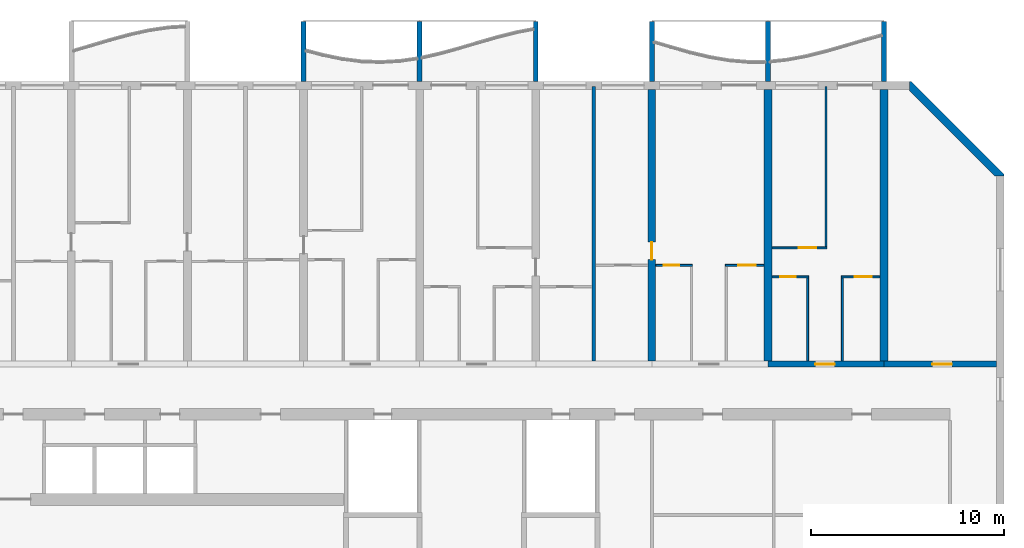
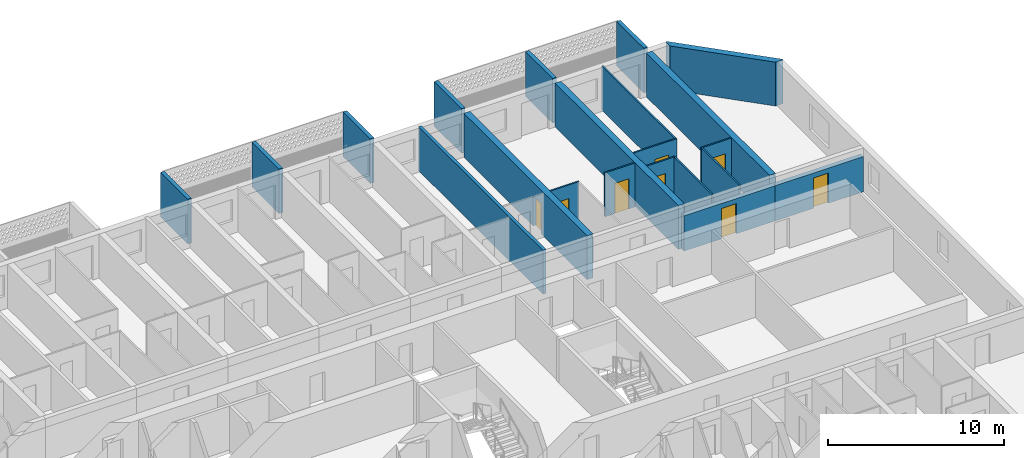
# One storey, part 17 of 38: 21 walls, 8 doors, 8 openings.
"""IFC4 building model written with IfcOpenShell, lengths in metres."""

import ifcopenshell
import ifcopenshell.guid

model = None  # the IFC model being written
_history = None  # IfcOwnerHistory: only IFC2X3 demands one
_inside = {}  # id of a spatial element -> (the spatial element, [elements in it])
_under = {}  # id of a project, library or spatial element -> (it, [spatial elements below it])
_declared = {}  # id of a project -> (the project, [libraries it declares])
_typed = {}  # id of a type object -> (the type object, [elements of that type])
_made_of = {}  # id of a material, layer set ... -> (it, [elements and type objects made of it])


def new_model(schema):
    """Start an empty IFC model of exactly this schema.

    Asked for "IFC4X3", IfcOpenShell would pick the latest addendum, in which some entities
    have other attributes; the version numbers below select the first issue.
    IFC2X3 requires an IfcOwnerHistory on every rooted entity: one is made here for all.
    """
    global model, _history
    if schema == "IFC4X3":
        model = ifcopenshell.file(schema_version=(4, 3, 0, 0))
    else:
        model = ifcopenshell.file(schema=schema)
    _inside.clear()
    _under.clear()
    _declared.clear()
    _typed.clear()
    _made_of.clear()
    _history = None
    if model.schema == "IFC2X3":
        org = make("IfcOrganization", Name="unknown")
        user = make(
            "IfcPersonAndOrganization",
            ThePerson=make("IfcPerson", FamilyName="unknown"),
            TheOrganization=org,
        )
        app = make(
            "IfcApplication",
            ApplicationDeveloper=org,
            Version="unknown",
            ApplicationFullName="unknown",
            ApplicationIdentifier="unknown",
        )
        _history = make(
            "IfcOwnerHistory",
            OwningUser=user,
            OwningApplication=app,
            ChangeAction="ADDED",
            CreationDate=0,
        )
    return model


def make(cls, **values):
    """One entity of the class cls with the attributes given. An attribute that is None is left unset."""
    return model.create_entity(
        cls, **{name: value for name, value in values.items() if value is not None}
    )


def rooted(cls, **values):
    """An entity with a GlobalId (a new one), such as an element, a storey or a relation."""
    return make(cls, GlobalId=ifcopenshell.guid.new(), OwnerHistory=_history, **values)


def si_unit(unit_type, name, prefix=None):
    """IfcSIUnit, for example si_unit("LENGTHUNIT", "METRE", prefix="MILLI")."""
    return make("IfcSIUnit", UnitType=unit_type, Prefix=prefix, Name=name)


def assignment(units):
    """IfcUnitAssignment: the units of a project."""
    return None if units is None else make("IfcUnitAssignment", Units=units)


def point(xyz):
    """IfcCartesianPoint."""
    return None if xyz is None else make("IfcCartesianPoint", Coordinates=xyz)


def direction(xyz):
    """IfcDirection."""
    return None if xyz is None else make("IfcDirection", DirectionRatios=xyz)


def frame(location, z_axis=None, x_axis=None):
    """IfcAxis2Placement3D, a coordinate frame: its origin and axes. An axis left out is left unset."""
    return make(
        "IfcAxis2Placement3D",
        Location=point(location),
        Axis=direction(z_axis),
        RefDirection=direction(x_axis),
    )


def frame_2d(location, x_axis=None):
    """IfcAxis2Placement2D, a coordinate frame in the plane: its origin and x axis."""
    return make(
        "IfcAxis2Placement2D", Location=point(location), RefDirection=direction(x_axis)
    )


def origin():
    """The frame at (0, 0, 0) with its axes left unset."""
    return frame((0.0, 0.0, 0.0))


def place(relative_to, where):
    """IfcLocalPlacement: puts the frame where relative to a parent placement (None: the world)."""
    return make(
        "IfcLocalPlacement", PlacementRelTo=relative_to, RelativePlacement=where
    )


def context(
    kind, dimensions, precision=None, world=None, true_north=None, identifier=None
):
    """IfcGeometricRepresentationContext, for example the 3D "Model" context."""
    return make(
        "IfcGeometricRepresentationContext",
        ContextIdentifier=identifier,
        ContextType=kind,
        CoordinateSpaceDimension=dimensions,
        Precision=precision,
        WorldCoordinateSystem=world,
        TrueNorth=true_north,
    )


def subcontext(parent, identifier, kind, view, scale=None):
    """IfcGeometricRepresentationSubContext, for example "Body" below "Model"."""
    return make(
        "IfcGeometricRepresentationSubContext",
        ContextIdentifier=identifier,
        ContextType=kind,
        ParentContext=parent,
        TargetScale=scale,
        TargetView=view,
    )


def project(units=None, contexts=None):
    """IfcProject with its units and contexts."""
    return rooted(
        "IfcProject",
        Name="project",
        RepresentationContexts=contexts,
        UnitsInContext=assignment(units),
    )


def spatial(cls, under=None, at=None, **own):
    """A site, building, storey or space (cls), placed at a placement, below another one or the project."""
    s = rooted(cls, ObjectPlacement=at, **own)
    if under is not None:
        _under.setdefault(under.id(), (under, []))[1].append(s)
    return s


def polyline(points):
    """IfcPolyline through the points."""
    return make("IfcPolyline", Points=[point(p) for p in points])


def profile(cls, at=None, kind="AREA", **sizes):
    """A parametric profile (cls). Its sizes go by their IFC names, for example OverallWidth=200.0."""
    return make(cls, ProfileType=kind, Position=at, **sizes)


def rectangle(**sizes):
    """IfcRectangleProfileDef."""
    return profile("IfcRectangleProfileDef", **sizes)


def outline(outer, holes=None, kind="AREA"):
    """IfcArbitraryClosedProfileDef: a profile drawn as a closed curve; with holes, ...WithVoids."""
    if holes is None:
        return make("IfcArbitraryClosedProfileDef", ProfileType=kind, OuterCurve=outer)
    return make(
        "IfcArbitraryProfileDefWithVoids",
        ProfileType=kind,
        OuterCurve=outer,
        InnerCurves=holes,
    )


def extrude(swept, where, along, depth):
    """IfcExtrudedAreaSolid: the profile swept, set in the frame where, extruded along a direction by depth."""
    return make(
        "IfcExtrudedAreaSolid",
        SweptArea=swept,
        Position=where,
        ExtrudedDirection=direction(along),
        Depth=depth,
    )


def shape(context_of_items, identifier, shape_type, items):
    """IfcShapeRepresentation: the items that make up one representation, for example the "Body"."""
    return make(
        "IfcShapeRepresentation",
        ContextOfItems=context_of_items,
        RepresentationIdentifier=identifier,
        RepresentationType=shape_type,
        Items=items,
    )


def source(mapping_origin, context_of_items, identifier, shape_type, items):
    """IfcRepresentationMap: a shape defined once, which mapped items show again and again."""
    return make(
        "IfcRepresentationMap",
        MappingOrigin=mapping_origin,
        MappedRepresentation=shape(context_of_items, identifier, shape_type, items),
    )


def transform(
    local_origin,
    x_axis=None,
    y_axis=None,
    z_axis=None,
    scale=None,
    scale2=None,
    scale3=None,
    uniform=True,
):
    """IfcCartesianTransformationOperator3D, or its non-uniform kind. x_axis, y_axis, z_axis: its Axis1, 2, 3."""
    if uniform:
        return make(
            "IfcCartesianTransformationOperator3D",
            Axis1=direction(x_axis),
            Axis2=direction(y_axis),
            LocalOrigin=point(local_origin),
            Scale=scale,
            Axis3=direction(z_axis),
        )
    return make(
        "IfcCartesianTransformationOperator3DnonUniform",
        Axis1=direction(x_axis),
        Axis2=direction(y_axis),
        LocalOrigin=point(local_origin),
        Scale=scale,
        Axis3=direction(z_axis),
        Scale2=scale2,
        Scale3=scale3,
    )


def mapped(mapping_source, mapping_target):
    """IfcMappedItem: shows the shape of a source again, moved by a transform."""
    return make(
        "IfcMappedItem", MappingSource=mapping_source, MappingTarget=mapping_target
    )


def material(Name=None, Category=None):
    """IfcMaterial."""
    return make("IfcMaterial", Name=Name, Category=Category)


def layer(
    of_material, thickness, ventilated=None, Name=None, Category=None, Priority=None
):
    """IfcMaterialLayer: one layer of a wall or slab, of a material (None: an air gap)."""
    return make(
        "IfcMaterialLayer",
        Material=of_material,
        LayerThickness=thickness,
        IsVentilated=ventilated,
        Name=Name,
        Category=Category,
        Priority=Priority,
    )


def layer_set(layers, Name=None):
    """IfcMaterialLayerSet."""
    return make("IfcMaterialLayerSet", MaterialLayers=layers, LayerSetName=Name)


def made_of(thing, what):
    """Note that an element or type object is made of a material, layer set ...; save() writes the relation."""
    if what is not None:
        _made_of.setdefault(what.id(), (what, []))[1].append(thing)
    return thing


def type_object(cls, material=None, **own):
    """A type object (cls), such as IfcWallType, which elements share."""
    return made_of(rooted(cls, **own), material)


def element(
    cls,
    number,
    at=None,
    inside=None,
    cuts=None,
    type_object=None,
    material=None,
    context=None,
    identifier="Body",
    shape_type=None,
    held_by="IfcProductDefinitionShape",
    body=None,
    shapes=None,
    **own,
):
    """One element of the class cls, such as IfcWall. Its Tag is "e" and its number.

    at: its placement. inside: the storey or other place that contains it. cuts: it is an
    opening in that element (IfcRelVoidsElement). A single representation is given by context,
    identifier, shape_type and body (its items); several are given by shapes. held_by: the class
    of the entity that holds the representations. save() writes the other relations.
    """
    e = rooted(cls, Tag="e%d" % number, ObjectPlacement=at, **own)
    if body is not None:
        shapes = [shape(context, identifier, shape_type, body)]
    if shapes is not None:
        e.Representation = make(held_by, Representations=shapes)
    if inside is not None:
        _inside.setdefault(inside.id(), (inside, []))[1].append(e)
    if cuts is not None:
        rooted(
            "IfcRelVoidsElement", RelatingBuildingElement=cuts, RelatedOpeningElement=e
        )
    if type_object is not None:
        _typed.setdefault(type_object.id(), (type_object, []))[1].append(e)
    return made_of(e, material)


def fill(opening, filler):
    """IfcRelFillsElement: the door or window that sits in an opening."""
    return rooted(
        "IfcRelFillsElement",
        RelatingOpeningElement=opening,
        RelatedBuildingElement=filler,
    )


def aggregate(whole, parts):
    """IfcRelAggregates: a whole, such as a stair, and the parts it consists of."""
    return rooted("IfcRelAggregates", RelatingObject=whole, RelatedObjects=parts)


def save(model, path):
    """Write the relations noted so far, then the file.

    IfcRelAggregates (storeys below a building ...), IfcRelContainedInSpatialStructure (elements
    in a storey), IfcRelDefinesByType, IfcRelAssociatesMaterial and IfcRelDeclares: one each for
    every whole, place, type object, material and project.
    """
    for whole, parts in _under.values():
        aggregate(whole, parts)
    for where, things in _inside.values():
        rooted(
            "IfcRelContainedInSpatialStructure",
            RelatedElements=things,
            RelatingStructure=where,
        )
    for kind, things in _typed.values():
        rooted("IfcRelDefinesByType", RelatedObjects=things, RelatingType=kind)
    for what, things in _made_of.values():
        rooted("IfcRelAssociatesMaterial", RelatedObjects=things, RelatingMaterial=what)
    for by, libraries in _declared.values():
        rooted("IfcRelDeclares", RelatingContext=by, RelatedDefinitions=libraries)
    model.write(path)


model = new_model("IFC4")

# Units and contexts
model_context = context("Model", 3, precision=1e-05, world=origin(), true_north=direction((0.0, 1.0)))
body_context = subcontext(model_context, "Body", "Model", "MODEL_VIEW")
ifc_project = project(units=[si_unit("LENGTHUNIT", "METRE"), si_unit("AREAUNIT", "SQUARE_METRE"), si_unit("VOLUMEUNIT", "CUBIC_METRE"), si_unit("PLANEANGLEUNIT", "RADIAN"), si_unit("MASSUNIT", "GRAM", prefix="KILO")], contexts=[model_context])

# Site, building, storey
site_placement = place(None, origin())
site = spatial("IfcSite", under=ifc_project, at=site_placement, CompositionType="ELEMENT")
building_placement = place(site_placement, origin())
building = spatial("IfcBuilding", under=site, at=building_placement, Name="Poui Terraces", CompositionType="ELEMENT")
storey_placement = place(building_placement, frame((0.0, 0.0, 43.199951171875)))
storey = spatial("IfcBuildingStorey", under=building, at=storey_placement, Name="L11", CompositionType="ELEMENT", Elevation=43.199951171875)

# Wall, opening, door
ifc_material_1 = material(Name="Concrete 80 MPa", Category="concrete")
ifc_layer_1 = layer(ifc_material_1, 0.300048828125)
ifc_layer_set_1 = layer_set([ifc_layer_1], Name="Concrete 80 MPa")
wall_type_1 = type_object("IfcWallType", Name="CORRIDOR WALL 300 80MPa", PredefinedType="SHEAR", material=ifc_layer_set_1)
wall_1_placement = place(storey_placement, frame((90.0, 30.39990234375, 0.0), z_axis=(0.0, 0.0, 1.0), x_axis=(1.0, 0.0, 0.0)))
wall_1 = element("IfcWall", 1, at=wall_1_placement, inside=storey, type_object=wall_type_1, Name="CORRIDOR WALL LINE E BAY 16", PredefinedType="SHEAR", context=body_context, shape_type="SweptSolid", body=[
    extrude(rectangle(XDim=6.0, YDim=0.300048828125, at=frame_2d((3.0, 0.0))), origin(), (0.0, 0.0, 1.0), 2.449951171875),
])
opening_1_placement = place(wall_1_placement, frame((2.449951171875, 0.0, 0.0)))
opening_1 = element("IfcOpeningElement", 2, at=opening_1_placement, cuts=wall_1, Name="Opening FD30S", PredefinedType="OPENING", context=body_context, shape_type="SweptSolid", body=[
    extrude(rectangle(XDim=1.0, YDim=2.10009765625, at=frame_2d((0.5, 1.050048828125))), frame((0.0, 0.16015625, 0.0), z_axis=(0.0, -1.0, 0.0), x_axis=(1.0, 0.0, 0.0)), (0.0, 0.0, 1.0), 0.320068359375),
])
ifc_material_2 = material(Name="Steel fire door", Category="steel")
door_type_1 = type_object("IfcDoorType", Name="FLAT ENTRANCE DOOR 1000 X 2100", OperationType="NOTDEFINED", PredefinedType="DOOR", material=ifc_material_2)
door_1_placement = place(opening_1_placement, origin())
door_1 = element("IfcDoor", 3, at=door_1_placement, inside=storey, type_object=door_type_1, Name="FLAT ENTRANCE DOOR 088", OperationType="SINGLE_SWING_LEFT", OverallHeight=2.10009765625, OverallWidth=1.0, PredefinedType="DOOR", context=body_context, shape_type="SweptSolid", body=[
    extrude(rectangle(XDim=1.0, YDim=2.10009765625, at=frame_2d((0.5, 1.050048828125))), frame((0.0, 0.02490234375, 0.0), z_axis=(0.0, -1.0, 0.0), x_axis=(1.0, 0.0, 0.0)), (0.0, 0.0, 1.0), 0.050048828125),
])
fill(opening_1, door_1)

wall_2_placement = place(storey_placement, frame((96.0, 30.39990234375, 0.0), z_axis=(0.0, 0.0, 1.0), x_axis=(1.0, 0.0, 0.0)))
wall_2 = element("IfcWall", 4, at=wall_2_placement, inside=storey, type_object=wall_type_1, Name="CORRIDOR WALL LINE E BAY 17", PredefinedType="SHEAR", context=body_context, shape_type="SweptSolid", body=[
    extrude(rectangle(XDim=5.800048828125, YDim=0.300048828125, at=frame_2d((2.89990234375, 0.0))), origin(), (0.0, 0.0, 1.0), 2.449951171875),
])
opening_2_placement = place(wall_2_placement, frame((2.5, 0.0, 0.0)))
opening_2 = element("IfcOpeningElement", 5, at=opening_2_placement, cuts=wall_2, Name="Opening D100", PredefinedType="OPENING", context=body_context, shape_type="SweptSolid", body=[
    extrude(rectangle(XDim=1.0, YDim=2.10009765625, at=frame_2d((0.5, 1.050048828125))), frame((0.0, 0.16015625, 0.0), z_axis=(0.0, -1.0, 0.0), x_axis=(1.0, 0.0, 0.0)), (0.0, 0.0, 1.0), 0.320068359375),
])
ifc_material_3 = material(Name="Solid core timber door", Category="wood")
door_type_2 = type_object("IfcDoorType", Name="ACCESSIBLE INTERNAL DOOR 1000 X 2100", OperationType="NOTDEFINED", PredefinedType="DOOR", material=ifc_material_3)
door_2_placement = place(opening_2_placement, origin())
door_2 = element("IfcDoor", 6, at=door_2_placement, inside=storey, type_object=door_type_2, Name="ACCESSIBLE INTERNAL DOOR 090", OperationType="SINGLE_SWING_LEFT", OverallHeight=2.10009765625, OverallWidth=1.0, PredefinedType="DOOR", context=body_context, shape_type="SweptSolid", body=[
    extrude(rectangle(XDim=1.0, YDim=2.10009765625, at=frame_2d((0.5, 1.050048828125))), frame((0.0, 0.02490234375, 0.0), z_axis=(0.0, -1.0, 0.0), x_axis=(1.0, 0.0, 0.0)), (0.0, 0.0, 1.0), 0.050048828125),
])
fill(opening_2, door_2)

ifc_layer_2 = layer(ifc_material_1, 0.39990234375)
ifc_layer_set_2 = layer_set([ifc_layer_2], Name="Concrete 80 MPa")
wall_type_2 = type_object("IfcWallType", Name="CROSS WALL 400 80MPa", PredefinedType="SHEAR", material=ifc_layer_set_2)
wall_3_placement = place(storey_placement, frame((84.0, 30.550048828125, 0.0), z_axis=(0.0, 0.0, 1.0), x_axis=(0.0, 1.0, 0.0)))
wall_3 = element("IfcWall", 7, at=wall_3_placement, inside=storey, type_object=wall_type_2, Name="CROSS WALL LINE 15 NORTH", PredefinedType="SHEAR", context=body_context, shape_type="SweptSolid", body=[
    extrude(rectangle(XDim=14.050048828125, YDim=0.39990234375, at=frame_2d((7.02490234375, 0.0))), origin(), (0.0, 0.0, 1.0), 3.050048828125),
])
opening_3_placement = place(wall_3_placement, frame((5.25, 0.0, 0.0)))
opening_3 = element("IfcOpeningElement", 8, at=opening_3_placement, cuts=wall_3, Name="Opening D90", PredefinedType="OPENING", context=body_context, shape_type="SweptSolid", body=[
    extrude(rectangle(XDim=0.89990234375, YDim=2.10009765625, at=frame_2d((0.449951171875, 1.050048828125))), frame((0.0, 0.2099609375, 0.0), z_axis=(0.0, -1.0, 0.0), x_axis=(1.0, 0.0, 0.0)), (0.0, 0.0, 1.0), 0.419921875),
])
door_type_3 = type_object("IfcDoorType", Name="INTERNAL DOOR 900 X 2100", OperationType="NOTDEFINED", PredefinedType="DOOR", material=ifc_material_3)
door_3_placement = place(opening_3_placement, origin())
door_3 = element("IfcDoor", 9, at=door_3_placement, inside=storey, type_object=door_type_3, Name="INTERNAL DOOR 082", OperationType="SINGLE_SWING_LEFT", OverallHeight=2.10009765625, OverallWidth=0.89990234375, PredefinedType="DOOR", context=body_context, shape_type="SweptSolid", body=[
    extrude(rectangle(XDim=0.89990234375, YDim=2.10009765625, at=frame_2d((0.449951171875, 1.050048828125))), frame((0.0, 0.02490234375, 0.0), z_axis=(0.0, -1.0, 0.0), x_axis=(1.0, 0.0, 0.0)), (0.0, 0.0, 1.0), 0.050048828125),
])
fill(opening_3, door_3)

# Walls
for number, where, z_axis, x_axis, name in (
    (10, (90.0, 30.550048828125, 0.0), (0.0, 0.0, 1.0), (0.0, 1.0, 0.0), "CROSS WALL LINE 16 NORTH"),
    (11, (96.0, 30.550048828125, 0.0), (0.0, 0.0, 1.0), (0.0, 1.0, 0.0), "CROSS WALL LINE 17 NORTH"),
):
    element("IfcWall", number, at=place(storey_placement, frame(where, z_axis=z_axis, x_axis=x_axis)), inside=storey, type_object=wall_type_2, Name=name, PredefinedType="SHEAR", context=body_context, shape_type="SweptSolid", body=[
        extrude(rectangle(XDim=14.050048828125, YDim=0.39990234375, at=frame_2d((7.02490234375, 0.0))), origin(), (0.0, 0.0, 1.0), 3.050048828125),
    ])

# Wall, opening, door
ifc_material_4 = material(Name="Plasterboard partition")
ifc_layer_3 = layer(ifc_material_4, 0.10009765625)
ifc_layer_set_3 = layer_set([ifc_layer_3], Name="Plasterboard partition")
wall_type_3 = type_object("IfcWallType", Name="FLAT PARTITION 100", PredefinedType="PARTITIONING", material=ifc_layer_set_3)
wall_4_placement = place(storey_placement, frame((90.2099609375, 34.89990234375, 0.0), z_axis=(0.0, 0.0, 1.0), x_axis=(1.0, 0.0, 0.0)))
wall_4 = element("IfcWall", 12, at=wall_4_placement, inside=storey, type_object=wall_type_3, Name="FLAT PARTITION 100", PredefinedType="PARTITIONING", context=body_context, shape_type="SweptSolid", body=[
    extrude(rectangle(XDim=1.89013671875, YDim=0.10009765625, at=frame_2d((0.945068359375, 0.0))), origin(), (0.0, 0.0, 1.0), 3.050048828125),
])
opening_4_placement = place(wall_4_placement, frame((0.4150390625, 0.0, 0.0)))
opening_4 = element("IfcOpeningElement", 13, at=opening_4_placement, cuts=wall_4, Name="Opening D80", PredefinedType="OPENING", context=body_context, shape_type="SweptSolid", body=[
    extrude(rectangle(XDim=0.800048828125, YDim=2.10009765625, at=frame_2d((0.39990234375, 1.050048828125))), frame((0.0, 0.06005859375, 0.0), z_axis=(0.0, -1.0, 0.0), x_axis=(1.0, 0.0, 0.0)), (0.0, 0.0, 1.0), 0.1201171875),
])
door_type_4 = type_object("IfcDoorType", Name="BATHROOM, LAUNDRY AND STORE DOOR 800 X 2100", OperationType="NOTDEFINED", PredefinedType="DOOR", material=ifc_material_3)
door_4_placement = place(opening_4_placement, frame((0.800048828125, 0.0, 0.0), z_axis=(0.0, 0.0, 1.0), x_axis=(-1.0, 0.0, 0.0)))
door_4 = element("IfcDoor", 14, at=door_4_placement, inside=storey, type_object=door_type_4, Name="BATHROOM, LAUNDRY AND STORE DOOR 086", OperationType="SINGLE_SWING_LEFT", OverallHeight=2.10009765625, OverallWidth=0.800048828125, PredefinedType="DOOR", context=body_context, shape_type="SweptSolid", body=[
    extrude(rectangle(XDim=0.800048828125, YDim=2.10009765625, at=frame_2d((0.39990234375, 1.050048828125))), frame((0.0, 0.02490234375, 0.0), z_axis=(0.0, -1.0, 0.0), x_axis=(1.0, 0.0, 0.0)), (0.0, 0.0, 1.0), 0.050048828125),
])
fill(opening_4, door_4)

wall_5_placement = place(storey_placement, frame((93.800048828125, 34.89990234375, 0.0), z_axis=(0.0, 0.0, 1.0), x_axis=(1.0, 0.0, 0.0)))
wall_5 = element("IfcWall", 15, at=wall_5_placement, inside=storey, type_object=wall_type_3, Name="FLAT PARTITION 100", PredefinedType="PARTITIONING", context=body_context, shape_type="SweptSolid", body=[
    extrude(rectangle(XDim=1.989990234375, YDim=0.10009765625, at=frame_2d((0.9951171875, 0.0))), origin(), (0.0, 0.0, 1.0), 3.050048828125),
])
opening_5_placement = place(wall_5_placement, frame((0.675048828125, 0.0, 0.0)))
opening_5 = element("IfcOpeningElement", 16, at=opening_5_placement, cuts=wall_5, Name="Opening D90", PredefinedType="OPENING", context=body_context, shape_type="SweptSolid", body=[
    extrude(rectangle(XDim=0.89990234375, YDim=2.10009765625, at=frame_2d((0.449951171875, 1.050048828125))), frame((0.0, 0.06005859375, 0.0), z_axis=(0.0, -1.0, 0.0), x_axis=(1.0, 0.0, 0.0)), (0.0, 0.0, 1.0), 0.1201171875),
])
door_5_placement = place(opening_5_placement, frame((0.89990234375, 0.0, 0.0), z_axis=(0.0, 0.0, 1.0), x_axis=(-1.0, 0.0, 0.0)))
door_5 = element("IfcDoor", 17, at=door_5_placement, inside=storey, type_object=door_type_3, Name="INTERNAL DOOR 089", OperationType="SINGLE_SWING_RIGHT", OverallHeight=2.10009765625, OverallWidth=0.89990234375, PredefinedType="DOOR", context=body_context, shape_type="SweptSolid", body=[
    extrude(rectangle(XDim=0.89990234375, YDim=2.10009765625, at=frame_2d((0.449951171875, 1.050048828125))), frame((0.0, 0.02490234375, 0.0), z_axis=(0.0, -1.0, 0.0), x_axis=(1.0, 0.0, 0.0)), (0.0, 0.0, 1.0), 0.050048828125),
])
fill(opening_5, door_5)

wall_6_placement = place(storey_placement, frame((84.2099609375, 35.5, 0.0), z_axis=(0.0, 0.0, 1.0), x_axis=(1.0, 0.0, 0.0)))
wall_6 = element("IfcWall", 18, at=wall_6_placement, inside=storey, type_object=wall_type_3, Name="FLAT PARTITION 100", PredefinedType="PARTITIONING", context=body_context, shape_type="SweptSolid", body=[
    extrude(rectangle(XDim=1.89013671875, YDim=0.10009765625, at=frame_2d((0.945068359375, 0.0))), origin(), (0.0, 0.0, 1.0), 3.050048828125),
])
opening_6_placement = place(wall_6_placement, frame((0.4150390625, 0.0, 0.0)))
opening_6 = element("IfcOpeningElement", 19, at=opening_6_placement, cuts=wall_6, Name="Opening D80", PredefinedType="OPENING", context=body_context, shape_type="SweptSolid", body=[
    extrude(rectangle(XDim=0.800048828125, YDim=2.10009765625, at=frame_2d((0.39990234375, 1.050048828125))), frame((0.0, 0.06005859375, 0.0), z_axis=(0.0, -1.0, 0.0), x_axis=(1.0, 0.0, 0.0)), (0.0, 0.0, 1.0), 0.1201171875),
])
door_6_placement = place(opening_6_placement, frame((0.800048828125, 0.0, 0.0), z_axis=(0.0, 0.0, 1.0), x_axis=(-1.0, 0.0, 0.0)))
door_6 = element("IfcDoor", 20, at=door_6_placement, inside=storey, type_object=door_type_4, Name="BATHROOM, LAUNDRY AND STORE DOOR 083", OperationType="SINGLE_SWING_LEFT", OverallHeight=2.10009765625, OverallWidth=0.800048828125, PredefinedType="DOOR", context=body_context, shape_type="SweptSolid", body=[
    extrude(rectangle(XDim=0.800048828125, YDim=2.10009765625, at=frame_2d((0.39990234375, 1.050048828125))), frame((0.0, 0.02490234375, 0.0), z_axis=(0.0, -1.0, 0.0), x_axis=(1.0, 0.0, 0.0)), (0.0, 0.0, 1.0), 0.050048828125),
])
fill(opening_6, door_6)

wall_7_placement = place(storey_placement, frame((87.800048828125, 35.5, 0.0), z_axis=(0.0, 0.0, 1.0), x_axis=(1.0, 0.0, 0.0)))
wall_7 = element("IfcWall", 21, at=wall_7_placement, inside=storey, type_object=wall_type_3, Name="FLAT PARTITION 100", PredefinedType="PARTITIONING", context=body_context, shape_type="SweptSolid", body=[
    extrude(rectangle(XDim=1.989990234375, YDim=0.10009765625, at=frame_2d((0.9951171875, 0.0))), origin(), (0.0, 0.0, 1.0), 3.050048828125),
])
opening_7_placement = place(wall_7_placement, frame((0.675048828125, 0.0, 0.0)))
opening_7 = element("IfcOpeningElement", 22, at=opening_7_placement, cuts=wall_7, Name="Opening D90", PredefinedType="OPENING", context=body_context, shape_type="SweptSolid", body=[
    extrude(rectangle(XDim=0.89990234375, YDim=2.10009765625, at=frame_2d((0.449951171875, 1.050048828125))), frame((0.0, 0.06005859375, 0.0), z_axis=(0.0, -1.0, 0.0), x_axis=(1.0, 0.0, 0.0)), (0.0, 0.0, 1.0), 0.1201171875),
])
door_7_placement = place(opening_7_placement, frame((0.89990234375, 0.0, 0.0), z_axis=(0.0, 0.0, 1.0), x_axis=(-1.0, 0.0, 0.0)))
door_7 = element("IfcDoor", 23, at=door_7_placement, inside=storey, type_object=door_type_3, Name="INTERNAL DOOR 085", OperationType="SINGLE_SWING_RIGHT", OverallHeight=2.10009765625, OverallWidth=0.89990234375, PredefinedType="DOOR", context=body_context, shape_type="SweptSolid", body=[
    extrude(rectangle(XDim=0.89990234375, YDim=2.10009765625, at=frame_2d((0.449951171875, 1.050048828125))), frame((0.0, 0.02490234375, 0.0), z_axis=(0.0, -1.0, 0.0), x_axis=(1.0, 0.0, 0.0)), (0.0, 0.0, 1.0), 0.050048828125),
])
fill(opening_7, door_7)

wall_8_placement = place(storey_placement, frame((90.2099609375, 36.39990234375, 0.0), z_axis=(0.0, 0.0, 1.0), x_axis=(1.0, 0.0, 0.0)))
wall_8 = element("IfcWall", 24, at=wall_8_placement, inside=storey, type_object=wall_type_3, Name="FLAT PARTITION 100", PredefinedType="PARTITIONING", context=body_context, shape_type="SweptSolid", body=[
    extrude(rectangle(XDim=2.840087890625, YDim=0.10009765625, at=frame_2d((1.419921875, 0.0))), origin(), (0.0, 0.0, 1.0), 3.050048828125),
])
opening_8_placement = place(wall_8_placement, frame((1.389892578125, 0.0, 0.0)))
opening_8 = element("IfcOpeningElement", 25, at=opening_8_placement, cuts=wall_8, Name="Opening D90", PredefinedType="OPENING", context=body_context, shape_type="SweptSolid", body=[
    extrude(rectangle(XDim=0.89990234375, YDim=2.10009765625, at=frame_2d((0.449951171875, 1.050048828125))), frame((0.0, 0.06005859375, 0.0), z_axis=(0.0, -1.0, 0.0), x_axis=(1.0, 0.0, 0.0)), (0.0, 0.0, 1.0), 0.1201171875),
])
door_8_placement = place(opening_8_placement, frame((0.89990234375, 0.0, 0.0), z_axis=(0.0, 0.0, 1.0), x_axis=(-1.0, 0.0, 0.0)))
door_8 = element("IfcDoor", 26, at=door_8_placement, inside=storey, type_object=door_type_3, Name="INTERNAL DOOR 087", OperationType="SINGLE_SWING_RIGHT", OverallHeight=2.10009765625, OverallWidth=0.89990234375, PredefinedType="DOOR", context=body_context, shape_type="SweptSolid", body=[
    extrude(rectangle(XDim=0.89990234375, YDim=2.10009765625, at=frame_2d((0.449951171875, 1.050048828125))), frame((0.0, 0.02490234375, 0.0), z_axis=(0.0, -1.0, 0.0), x_axis=(1.0, 0.0, 0.0)), (0.0, 0.0, 1.0), 0.050048828125),
])
fill(opening_8, door_8)

# Walls
wall_9_placement = place(storey_placement, frame((92.050048828125, 30.56005859375, 0.0), z_axis=(0.0, 0.0, 1.0), x_axis=(0.0, 1.0, 0.0)))
element("IfcWall", 27, at=wall_9_placement, inside=storey, type_object=wall_type_3, Name="FLAT PARTITION 100", PredefinedType="PARTITIONING", context=body_context, shape_type="SweptSolid", body=[
    extrude(rectangle(XDim=4.2900390625, YDim=0.10009765625, at=frame_2d((2.14501953125, 0.0))), origin(), (0.0, 0.0, 1.0), 3.050048828125),
])
wall_10_placement = place(storey_placement, frame((93.0, 36.449951171875, 0.0), z_axis=(0.0, 0.0, 1.0), x_axis=(0.0, 1.0, 0.0)))
element("IfcWall", 28, at=wall_10_placement, inside=storey, type_object=wall_type_3, Name="FLAT PARTITION 100", PredefinedType="PARTITIONING", context=body_context, shape_type="SweptSolid", body=[
    extrude(rectangle(XDim=8.2900390625, YDim=0.10009765625, at=frame_2d((4.14501953125, 0.0))), origin(), (0.0, 0.0, 1.0), 3.050048828125),
])
wall_11_placement = place(storey_placement, frame((93.85009765625, 30.56005859375, 0.0), z_axis=(0.0, 0.0, 1.0), x_axis=(0.0, 1.0, 0.0)))
element("IfcWall", 29, at=wall_11_placement, inside=storey, type_object=wall_type_3, Name="FLAT PARTITION 100", PredefinedType="PARTITIONING", context=body_context, shape_type="SweptSolid", body=[
    extrude(rectangle(XDim=4.2900390625, YDim=0.10009765625, at=frame_2d((2.14501953125, 0.0))), origin(), (0.0, 0.0, 1.0), 3.050048828125),
])
ifc_material_5 = material(Name="Fire-rated masonry wall", Category="masonry")
ifc_layer_4 = layer(ifc_material_5, 0.199951171875)
ifc_layer_set_4 = layer_set([ifc_layer_4], Name="Fire-rated masonry wall")
wall_type_4 = type_object("IfcWallType", Name="FLAT PARTY WALL 200", PredefinedType="PARTITIONING", material=ifc_layer_set_4)
wall_12_placement = place(storey_placement, frame((81.0, 30.56005859375, 0.0), z_axis=(0.0, 0.0, 1.0), x_axis=(0.0, 1.0, 0.0)))
element("IfcWall", 30, at=wall_12_placement, inside=storey, type_object=wall_type_4, Name="FLAT PARTY WALL 200", PredefinedType="PARTITIONING", context=body_context, shape_type="SweptSolid", body=[
    extrude(rectangle(XDim=14.179931640625, YDim=0.199951171875, at=frame_2d((7.08984375, 0.0))), origin(), (0.0, 0.0, 1.0), 3.050048828125),
])
ifc_material_6 = material(Name="Precast concrete 40 MPa", Category="concrete")
ifc_layer_5 = layer(ifc_material_6, 0.39990234375)
ifc_layer_set_5 = layer_set([ifc_layer_5], Name="Precast concrete 40 MPa")
wall_type_5 = type_object("IfcWallType", Name="TERRACOTTA CLAD CHAMFER WALL 400", PredefinedType="STANDARD", material=ifc_layer_set_5)
wall_13_placement = place(storey_placement, origin())
element("IfcWall", 31, at=wall_13_placement, inside=storey, type_object=wall_type_5, Name="CHAMFER WALL CH03", PredefinedType="STANDARD", context=body_context, shape_type="SweptSolid", body=[
    extrude(outline(polyline([(102.199951171875, 40.1171875), (102.199951171875, 40.199951171875), (97.39990234375, 45.0), (97.317138671875, 45.0), (97.317138671875, 44.51708984375), (101.71728515625, 40.1171875), (102.199951171875, 40.1171875)])), origin(), (0.0, 0.0, 1.0), 3.050048828125),
])
ifc_layer_6 = layer(ifc_material_6, 0.25)
ifc_layer_set_6 = layer_set([ifc_layer_6], Name="Precast concrete 40 MPa")
wall_type_6 = type_object("IfcWallType", Name="BALCONY FIN 250", PredefinedType="STANDARD", material=ifc_layer_set_6)
shared_shape = source(origin(), body_context, "Body", "SweptSolid", [
    extrude(outline(polyline([(0.0, 0.0), (0.25, 0.0), (0.25, 3.10009765625), (0.0, 3.10009765625), (0.0, 0.0)])), origin(), (0.0, 0.0, 1.0), 3.10009765625),
])
for number, where, name in (
    (32, (65.875, 45.0, 0.0), "BALCONY FIN"),
    (33, (71.875, 45.0, 0.0), "BALCONY FIN"),
    (34, (77.875, 45.0, 0.0), "BALCONY FIN"),
    (35, (83.875, 45.0, 0.0), "BALCONY FIN"),
    (36, (89.875, 45.0, 0.0), "BALCONY FIN"),
    (37, (95.875, 45.0, 0.0), "BALCONY FIN"),
):
    element("IfcWall", number, at=place(storey_placement, frame(where)), inside=storey, type_object=wall_type_6, Name=name, PredefinedType="STANDARD", context=body_context, shape_type="MappedRepresentation", body=[
        mapped(shared_shape, transform((0.0, 0.0, 0.0))),
    ])

save(model, "model.ifc")
